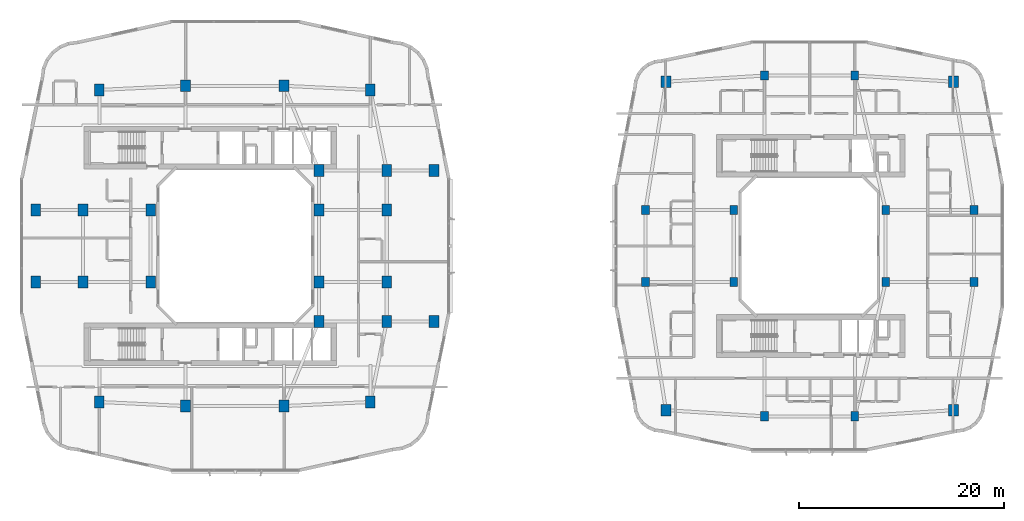
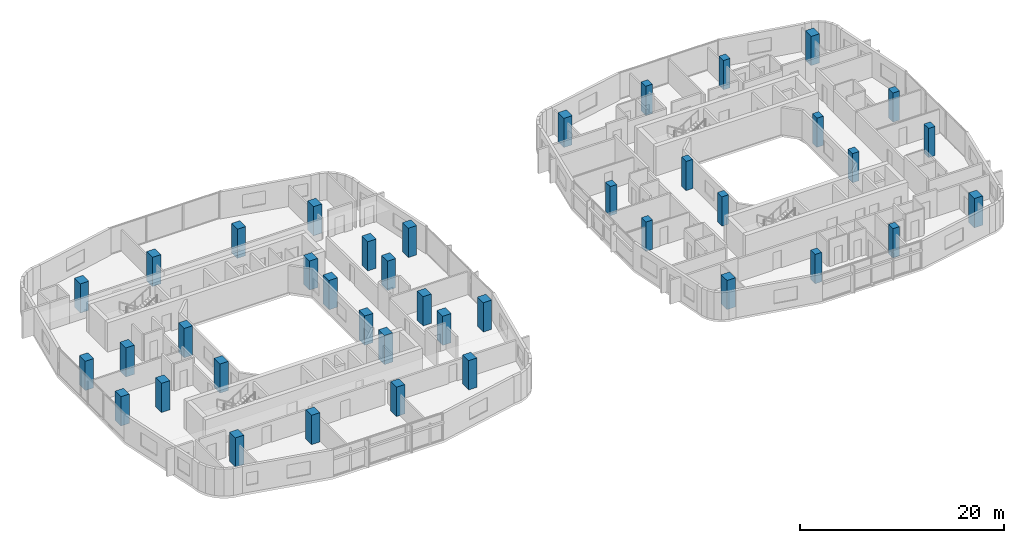
# One storey, part 1 of 26: 40 columns.
"""IFC4 building model written with IfcOpenShell, lengths in metres."""

from ifc_helpers import new_model, si_unit, derived_unit, direction, frame, origin, origin_2d, place, context, subcontext, project, spatial, rectangle, extrude, material, material_profile, profile_set, type_object, element, save


model = new_model("IFC4")

# Units and contexts
model_context = context("Model", 3, precision=1e-05, world=origin(), true_north=direction((0.0, 1.0)))
body_context = subcontext(model_context, "Body", "Model", "MODEL_VIEW")
ifc_project = project(units=[si_unit("LENGTHUNIT", "METRE"), si_unit("AREAUNIT", "SQUARE_METRE"), si_unit("VOLUMEUNIT", "CUBIC_METRE"), si_unit("PLANEANGLEUNIT", "RADIAN"), si_unit("MASSUNIT", "GRAM", prefix="KILO"), derived_unit("THERMALTRANSMITTANCEUNIT", [(si_unit("POWERUNIT", "WATT"), 1), (si_unit("LENGTHUNIT", "METRE"), -2), (si_unit("THERMODYNAMICTEMPERATUREUNIT", "KELVIN"), -1)])], contexts=[model_context])

# Site, building, storey
site_placement = place(None, origin())
site = spatial("IfcSite", under=ifc_project, at=site_placement, CompositionType="ELEMENT")
building_placement = place(site_placement, origin())
building = spatial("IfcBuilding", under=site, at=building_placement, Name="Kivonza Crest Hotel", CompositionType="ELEMENT")
storey_placement = place(building_placement, frame((0.0, 0.0, 66.0)))
storey = spatial("IfcBuildingStorey", under=building, at=storey_placement, Name="L17", CompositionType="ELEMENT", Elevation=66.0)

# Columns
ifc_material_1 = material(Name="Concrete C60/75", Category="concrete")
ifc_material_profile_1 = material_profile(ifc_material_1, rectangle(XDim=0.949951171875, YDim=1.14990234375, at=origin_2d()), Name="RC 1150x950")
ifc_profile_set_1 = profile_set([ifc_material_profile_1], Name="Concrete C60/75")
column_type_1 = type_object("IfcColumnType", Name="CL-RC-1150x950", PredefinedType="COLUMN", material=ifc_profile_set_1)
for number, where, z_axis, x_axis, name in (
    (1, (16.199951171875, 9.39990234375, 0.0), (0.0, 0.0, 1.0), (1.0, 0.0, 0.0), "Tower T1 L17 column S1"),
    (2, (25.800048828125, 9.39990234375, 0.0), (0.0, 0.0, 1.0), (1.0, 0.0, 0.0), "Tower T1 L17 column S2"),
    (3, (16.199951171875, 40.60009765625, 0.0), (0.0, 0.0, 1.0), (1.0, 0.0, 0.0), "Tower T1 L17 column N1"),
    (4, (25.800048828125, 40.60009765625, 0.0), (0.0, 0.0, 1.0), (1.0, 0.0, 0.0), "Tower T1 L17 column N2"),
    (5, (6.199951171875, 21.5, 0.0), (0.0, 0.0, 1.0), (1.0, 0.0, 0.0), "Tower T1 L17 column W1"),
    (6, (6.199951171875, 28.5, 0.0), (0.0, 0.0, 1.0), (1.0, 0.0, 0.0), "Tower T1 L17 column W2"),
    (7, (7.800048828125, 9.800048828125, 0.0), (0.0, 0.0, 1.0), (1.0, 0.0, 0.0), "Tower T1 L17 column SW"),
    (8, (34.199951171875, 9.800048828125, 0.0), (0.0, 0.0, 1.0), (1.0, 0.0, 0.0), "Tower T1 L17 column SE"),
    (9, (34.199951171875, 40.199951171875, 0.0), (0.0, 0.0, 1.0), (1.0, 0.0, 0.0), "Tower T1 L17 column NE"),
    (10, (7.800048828125, 40.199951171875, 0.0), (0.0, 0.0, 1.0), (1.0, 0.0, 0.0), "Tower T1 L17 column NW"),
    (11, (35.800048828125, 21.5, 0.0), (0.0, 0.0, 1.0), (1.0, 0.0, 0.0), "Tower T1 L17 column E1"),
    (12, (35.800048828125, 28.5, 0.0), (0.0, 0.0, 1.0), (1.0, 0.0, 0.0), "Tower T1 L17 column E2"),
    (13, (35.800048828125, 17.64990234375, 0.0), (0.0, 0.0, 1.0), (1.0, 0.0, 0.0), "Tower T1 L17 column PSE"),
    (14, (35.800048828125, 32.35009765625, 0.0), (0.0, 0.0, 1.0), (1.0, 0.0, 0.0), "Tower T1 L17 column PNE"),
    (15, (12.800048828125, 21.5, 0.0), (0.0, 0.0, 1.0), (1.0, 0.0, 0.0), "Tower T1 L17 column WL1"),
    (16, (12.800048828125, 28.5, 0.0), (0.0, 0.0, 1.0), (1.0, 0.0, 0.0), "Tower T1 L17 column WL2"),
    (17, (29.199951171875, 17.64990234375, 0.0), (0.0, 0.0, 1.0), (1.0, 0.0, 0.0), "Tower T1 L17 column TSE"),
    (18, (29.199951171875, 32.35009765625, 0.0), (0.0, 0.0, 1.0), (1.0, 0.0, 0.0), "Tower T1 L17 column TNE"),
    (19, (29.199951171875, 21.5, 0.0), (0.0, 0.0, 1.0), (1.0, 0.0, 0.0), "Tower T1 L17 column WR1"),
    (20, (29.199951171875, 28.5, 0.0), (0.0, 0.0, 1.0), (1.0, 0.0, 0.0), "Tower T1 L17 column WR2"),
    (21, (1.60009765625, 21.5, 0.0), (0.0, 0.0, 1.0), (1.0, 0.0, 0.0), "Tower T1 L17 column Z1W1"),
    (22, (1.60009765625, 28.5, 0.0), (0.0, 0.0, 1.0), (1.0, 0.0, 0.0), "Tower T1 L17 column Z1W2"),
    (23, (40.39990234375, 17.64990234375, 0.0), (0.0, 0.0, 1.0), (1.0, 0.0, 0.0), "Tower T1 L17 column Z1E1"),
    (24, (40.39990234375, 32.35009765625, 0.0), (0.0, 0.0, 1.0), (1.0, 0.0, 0.0), "Tower T1 L17 column Z1E2"),
    (25, (63.0, 9.0, 0.0), (0.0, 0.0, 1.0), (1.0, 0.0, 0.0), "Companion Tower T2 L17 column SW"),
    (26, (91.0, 9.0, 0.0), (0.0, 0.0, 1.0), (1.0, 0.0, 0.0), "Companion Tower T2 L17 column SE"),
    (27, (91.0, 41.0, 0.0), (0.0, 0.0, 1.0), (1.0, 0.0, 0.0), "Companion Tower T2 L17 column NE"),
    (28, (63.0, 41.0, 0.0), (0.0, 0.0, 1.0), (1.0, 0.0, 0.0), "Companion Tower T2 L17 column NW"),
):
    element("IfcColumn", number, at=place(storey_placement, frame(where, z_axis=z_axis, x_axis=x_axis)), inside=storey, type_object=column_type_1, Name=name, PredefinedType="COLUMN", context=body_context, shape_type="SweptSolid", body=[
        extrude(rectangle(XDim=0.949951171875, YDim=1.14990234375, at=origin_2d()), origin(), (0.0, 0.0, 1.0), 3.5),
    ])
ifc_material_2 = material(Name="Concrete C50/60", Category="concrete")
ifc_material_profile_2 = material_profile(ifc_material_2, rectangle(XDim=0.75, YDim=0.89990234375, at=origin_2d()), Name="RC 900x750")
ifc_profile_set_2 = profile_set([ifc_material_profile_2], Name="Concrete C50/60")
column_type_2 = type_object("IfcColumnType", Name="CL-RC-900x750", PredefinedType="COLUMN", material=ifc_profile_set_2)
for number, where, z_axis, x_axis, name in (
    (29, (72.60009765625, 8.39990234375, 0.0), (0.0, 0.0, 1.0), (1.0, 0.0, 0.0), "Companion Tower T2 L17 column S1"),
    (30, (81.39990234375, 8.39990234375, 0.0), (0.0, 0.0, 1.0), (1.0, 0.0, 0.0), "Companion Tower T2 L17 column S2"),
    (31, (72.60009765625, 41.60009765625, 0.0), (0.0, 0.0, 1.0), (1.0, 0.0, 0.0), "Companion Tower T2 L17 column N1"),
    (32, (81.39990234375, 41.60009765625, 0.0), (0.0, 0.0, 1.0), (1.0, 0.0, 0.0), "Companion Tower T2 L17 column N2"),
    (33, (61.0, 21.5, 0.0), (0.0, 0.0, 1.0), (1.0, 0.0, 0.0), "Companion Tower T2 L17 column W1"),
    (34, (61.0, 28.5, 0.0), (0.0, 0.0, 1.0), (1.0, 0.0, 0.0), "Companion Tower T2 L17 column W2"),
    (35, (93.0, 21.5, 0.0), (0.0, 0.0, 1.0), (1.0, 0.0, 0.0), "Companion Tower T2 L17 column E1"),
    (36, (93.0, 28.5, 0.0), (0.0, 0.0, 1.0), (1.0, 0.0, 0.0), "Companion Tower T2 L17 column E2"),
    (37, (69.60009765625, 21.5, 0.0), (0.0, 0.0, 1.0), (1.0, 0.0, 0.0), "Companion Tower T2 L17 column WL1"),
    (38, (69.60009765625, 28.5, 0.0), (0.0, 0.0, 1.0), (1.0, 0.0, 0.0), "Companion Tower T2 L17 column WL2"),
    (39, (84.39990234375, 21.5, 0.0), (0.0, 0.0, 1.0), (1.0, 0.0, 0.0), "Companion Tower T2 L17 column WR1"),
    (40, (84.39990234375, 28.5, 0.0), (0.0, 0.0, 1.0), (1.0, 0.0, 0.0), "Companion Tower T2 L17 column WR2"),
):
    element("IfcColumn", number, at=place(storey_placement, frame(where, z_axis=z_axis, x_axis=x_axis)), inside=storey, type_object=column_type_2, Name=name, PredefinedType="COLUMN", context=body_context, shape_type="SweptSolid", body=[
        extrude(rectangle(XDim=0.75, YDim=0.89990234375, at=origin_2d()), origin(), (0.0, 0.0, 1.0), 3.5),
    ])

save(model, "model.ifc")
